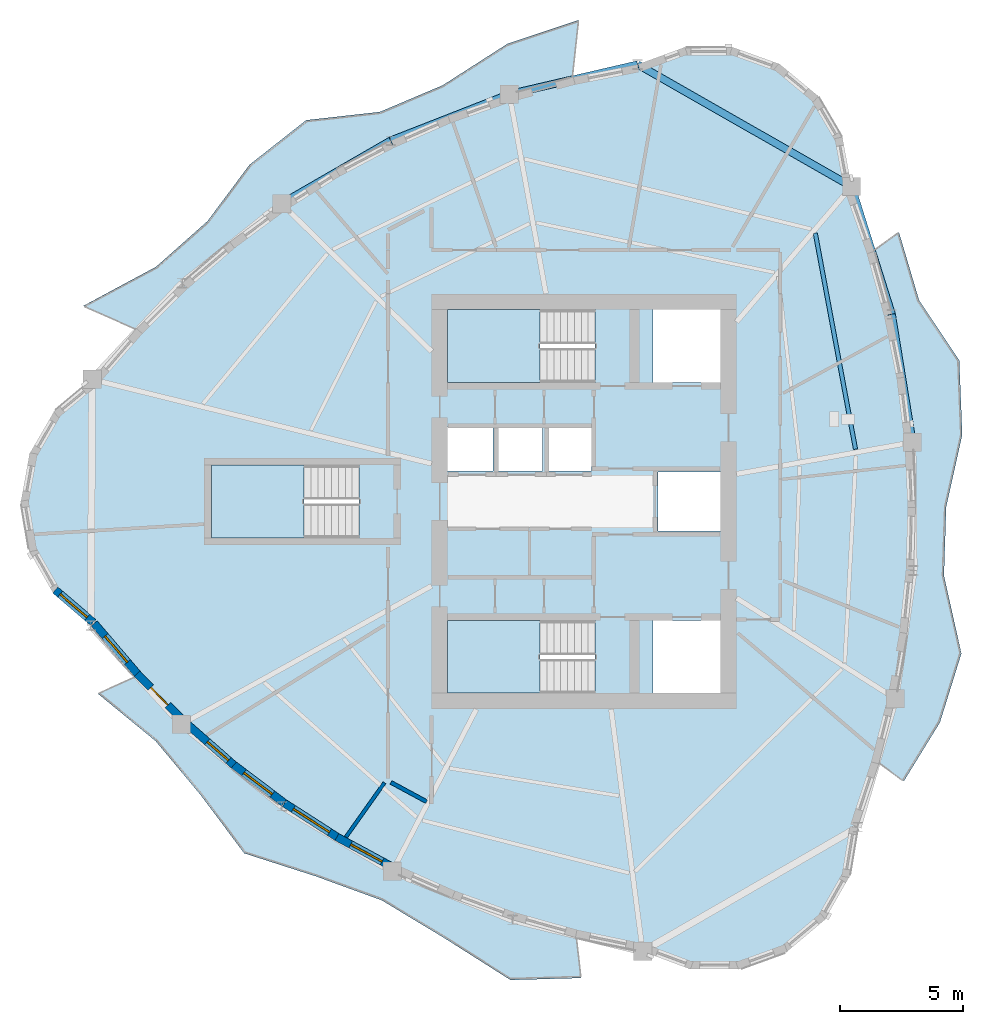
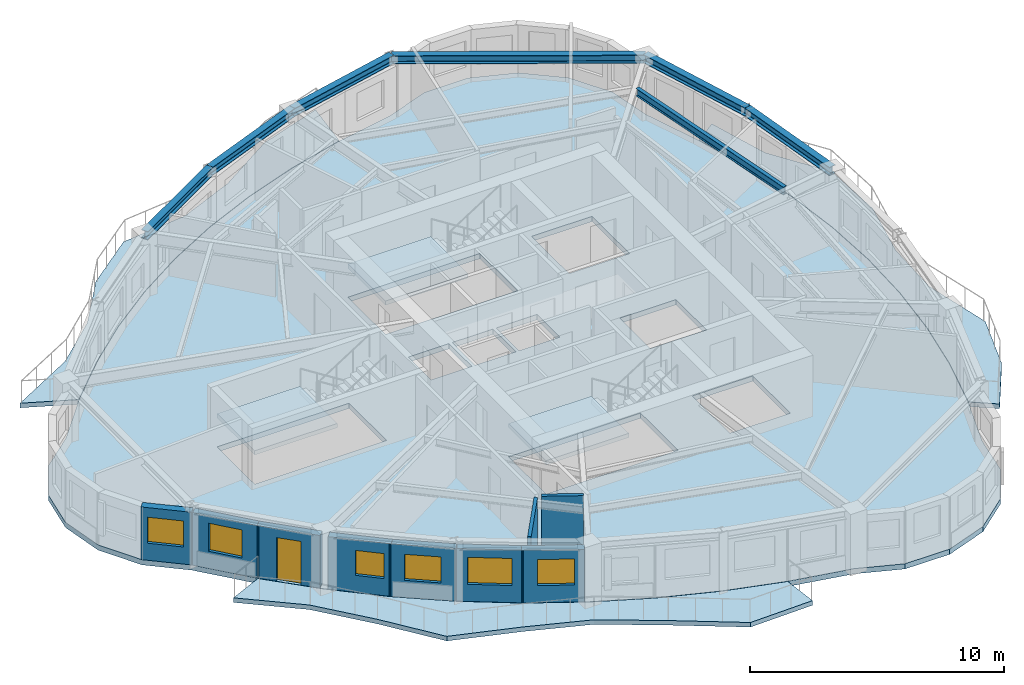
# One storey, part 2 of 12: 9 walls, 7 beams, 7 slabs, 6 windows, 1 door, 7 openings, 3 elements without a shape of their own.
"""IFC4 building model written with IfcOpenShell, lengths in metres."""

from ifc_helpers import new_model, si_unit, direction, frame, frame_2d, origin, origin_2d, place, context, subcontext, project, spatial, polyline, rectangle, i_section, outline, extrude, source, transform, mapped, material, layer, layer_set, material_profile, profile_set, type_object, element, fill, aggregate, save


model = new_model("IFC4")

# Units and contexts
model_context = context("Model", 3, precision=1e-05, world=origin(), true_north=direction((0.0, 1.0)))
body_context = subcontext(model_context, "Body", "Model", "MODEL_VIEW")
ifc_project = project(units=[si_unit("LENGTHUNIT", "METRE"), si_unit("AREAUNIT", "SQUARE_METRE"), si_unit("VOLUMEUNIT", "CUBIC_METRE"), si_unit("PLANEANGLEUNIT", "RADIAN"), si_unit("MASSUNIT", "GRAM", prefix="KILO")], contexts=[model_context])

# Site, building, storey
site_placement = place(None, origin())
site = spatial("IfcSite", under=ifc_project, at=site_placement, CompositionType="ELEMENT")
building_placement = place(site_placement, origin())
building = spatial("IfcBuilding", under=site, at=building_placement, Name="Qafzar Sky-Pleat Residences", CompositionType="ELEMENT")
storey_placement = place(building_placement, frame((0.0, 0.0, 184.199951171875)))
storey = spatial("IfcBuildingStorey", under=building, at=storey_placement, Name="L55", CompositionType="ELEMENT", Elevation=184.199951171875)

# Beams
ifc_material_1 = material(Name="Steel S355", Category="steel")
ifc_material_profile_1 = material_profile(ifc_material_1, i_section(OverallWidth=0.300048828125, OverallDepth=0.39990234375, WebThickness=0.013427734375, FlangeThickness=0.02392578125, FilletRadius=0.027099609375, at=origin_2d()), Name="HEB 400")
ifc_profile_set_1 = profile_set([ifc_material_profile_1], Name="Steel S355")
beam_type_1 = type_object("IfcBeamType", Name="BM-SPAN-HEB400", PredefinedType="SPANDREL", material=ifc_profile_set_1)
shared_shape_1 = source(origin(), body_context, "Body", "SweptSolid", [
    extrude(i_section(OverallWidth=0.300048828125, OverallDepth=0.39990234375, WebThickness=0.013427734375, FlangeThickness=0.02392578125, FilletRadius=0.027099609375, at=origin_2d()), origin(), (0.0, 0.0, 1.0), 10.017578125),
])
beam_1_placement = place(storey_placement, frame((41.22900390625, 38.8125, 2.748046875), z_axis=(-0.86844553877, 0.495784576394, 0.0), x_axis=(-0.495784576394, -0.86844553877, 0.0)))
element("IfcBeam", 1, at=beam_1_placement, inside=storey, type_object=beam_type_1, Name="L55 Perimeter Spandrel Beam 13", PredefinedType="SPANDREL", context=body_context, shape_type="MappedRepresentation", body=[
    mapped(shared_shape_1, transform((0.0, 0.0, 0.0), x_axis=(1.0, 0.0, 0.0), y_axis=(0.0, 1.0, 0.0), z_axis=(0.0, 0.0, 1.0), scale=1.0)),
])
shared_shape_2 = source(origin(), body_context, "Body", "SweptSolid", [
    extrude(i_section(OverallWidth=0.300048828125, OverallDepth=0.39990234375, WebThickness=0.013427734375, FlangeThickness=0.02392578125, FilletRadius=0.027099609375, at=origin_2d()), origin(), (0.0, 0.0, 1.0), 5.27294921875),
])
beam_2_placement = place(storey_placement, frame((43.70751953125, 28.410400390625, 2.748046875), z_axis=(-0.159877284529, 0.987136897239, 0.0), x_axis=(-0.987136897239, -0.159877284529, 0.0)))
element("IfcBeam", 2, at=beam_2_placement, inside=storey, type_object=beam_type_1, Name="L55 Perimeter Spandrel Beam 11", PredefinedType="SPANDREL", context=body_context, shape_type="MappedRepresentation", body=[
    mapped(shared_shape_2, transform((0.0, 0.0, 0.0), x_axis=(1.0, 0.0, 0.0), y_axis=(0.0, 1.0, 0.0), z_axis=(0.0, 0.0, 1.0), scale=1.0)),
])
shared_shape_3 = source(origin(), body_context, "Body", "SweptSolid", [
    extrude(i_section(OverallWidth=0.300048828125, OverallDepth=0.39990234375, WebThickness=0.013427734375, FlangeThickness=0.02392578125, FilletRadius=0.027099609375, at=origin_2d()), origin(), (0.0, 0.0, 1.0), 5.4482421875),
])
beam_3_placement = place(storey_placement, frame((42.864501953125, 33.615478515625, 2.748046875), z_axis=(-0.300185458928, 0.95388085747, 0.0), x_axis=(-0.95388085747, -0.300185458928, 0.0)))
element("IfcBeam", 3, at=beam_3_placement, inside=storey, type_object=beam_type_1, Name="L55 Perimeter Spandrel Beam 12", PredefinedType="SPANDREL", context=body_context, shape_type="MappedRepresentation", body=[
    mapped(shared_shape_3, transform((0.0, 0.0, 0.0), x_axis=(1.0, 0.0, 0.0), y_axis=(0.0, 1.0, 0.0), z_axis=(0.0, 0.0, 1.0), scale=1.0)),
])
shared_shape_4 = source(origin(), body_context, "Body", "SweptSolid", [
    extrude(i_section(OverallWidth=0.300048828125, OverallDepth=0.39990234375, WebThickness=0.013427734375, FlangeThickness=0.02392578125, FilletRadius=0.027099609375, at=origin_2d()), origin(), (0.0, 0.0, 1.0), 5.356201171875),
])
beam_4_placement = place(storey_placement, frame((32.529296875, 43.779052734375, 2.748046875), z_axis=(-0.974013405705, -0.226490365153, 0.0), x_axis=(0.226490365153, -0.974013405705, 0.0)))
element("IfcBeam", 4, at=beam_4_placement, inside=storey, type_object=beam_type_1, Name="L55 Perimeter Spandrel Beam 14", PredefinedType="SPANDREL", context=body_context, shape_type="MappedRepresentation", body=[
    mapped(shared_shape_4, transform((0.0, 0.0, 0.0), x_axis=(1.0, 0.0, 0.0), y_axis=(0.0, 1.0, 0.0), z_axis=(0.0, 0.0, 1.0), scale=1.0)),
])
shared_shape_5 = source(origin(), body_context, "Body", "SweptSolid", [
    extrude(i_section(OverallWidth=0.300048828125, OverallDepth=0.39990234375, WebThickness=0.013427734375, FlangeThickness=0.02392578125, FilletRadius=0.027099609375, at=origin_2d()), origin(), (0.0, 0.0, 1.0), 5.183837890625),
])
beam_5_placement = place(storey_placement, frame((27.312255859375, 42.56591796875, 2.748046875), z_axis=(-0.931323360566, -0.36419335258, 0.0), x_axis=(0.36419335258, -0.931323360566, 0.0)))
element("IfcBeam", 5, at=beam_5_placement, inside=storey, type_object=beam_type_1, Name="L55 Perimeter Spandrel Beam 15", PredefinedType="SPANDREL", context=body_context, shape_type="MappedRepresentation", body=[
    mapped(shared_shape_5, transform((0.0, 0.0, 0.0), x_axis=(1.0, 0.0, 0.0), y_axis=(0.0, 1.0, 0.0), z_axis=(0.0, 0.0, 1.0), scale=1.0)),
])
shared_shape_6 = source(origin(), body_context, "Body", "SweptSolid", [
    extrude(i_section(OverallWidth=0.300048828125, OverallDepth=0.39990234375, WebThickness=0.013427734375, FlangeThickness=0.02392578125, FilletRadius=0.027099609375, at=origin_2d()), origin(), (0.0, 0.0, 1.0), 5.124755859375),
])
beam_6_placement = place(storey_placement, frame((22.484375, 40.677978515625, 2.748046875), z_axis=(-0.866038823222, -0.499976756132, 0.0), x_axis=(0.499976756132, -0.866038823222, 0.0)))
element("IfcBeam", 6, at=beam_6_placement, inside=storey, type_object=beam_type_1, Name="L55 Perimeter Spandrel Beam 16", PredefinedType="SPANDREL", context=body_context, shape_type="MappedRepresentation", body=[
    mapped(shared_shape_6, transform((0.0, 0.0, 0.0), x_axis=(1.0, 0.0, 0.0), y_axis=(0.0, 1.0, 0.0), z_axis=(0.0, 0.0, 1.0), scale=1.0)),
])
ifc_material_profile_2 = material_profile(ifc_material_1, i_section(OverallWidth=0.169921875, OverallDepth=0.360107421875, WebThickness=0.008056640625, FlangeThickness=0.0126953125, FilletRadius=0.01806640625, at=origin_2d()), Name="IPE 360")
ifc_profile_set_2 = profile_set([ifc_material_profile_2], Name="Steel S355")
beam_type_2 = type_object("IfcBeamType", Name="BM-JST-IPE360", PredefinedType="JOIST", material=ifc_profile_set_2)
shared_shape_7 = source(origin(), body_context, "Body", "SweptSolid", [
    extrude(i_section(OverallWidth=0.169921875, OverallDepth=0.360107421875, WebThickness=0.008056640625, FlangeThickness=0.0126953125, FilletRadius=0.01806640625, at=origin_2d()), origin(), (0.0, 0.0, 1.0), 8.9375),
])
beam_7_placement = place(storey_placement, frame((41.392333984375, 28.1298828125, 2.76806640625), z_axis=(-0.183018436338, 0.983109481167, 0.0), x_axis=(-0.983109481167, -0.183018436338, 0.0)))
element("IfcBeam", 7, at=beam_7_placement, inside=storey, type_object=beam_type_2, Name="L55 Outer Secondary Floor Joist 6", PredefinedType="JOIST", context=body_context, shape_type="MappedRepresentation", body=[
    mapped(shared_shape_7, transform((0.0, 0.0, 0.0), x_axis=(1.0, 0.0, 0.0), y_axis=(0.0, 1.0, 0.0), z_axis=(0.0, 0.0, 1.0), scale=1.0)),
])

# Slabs
ifc_material_2 = material(Name="Concrete C40/50", Category="concrete")
ifc_layer_1 = layer(ifc_material_2, 0.219970703125)
ifc_layer_set_1 = layer_set([ifc_layer_1], Name="Concrete C40/50")
slab_type_1 = type_object("IfcSlabType", Name="SLAB-BAL-220", PredefinedType="USERDEFINED", material=ifc_layer_set_1)
slab_1_placement = place(storey_placement, frame((0.0, 0.0, -0.219970703125)))
element("IfcSlab", 8, at=slab_1_placement, inside=storey, type_object=slab_type_1, Name="L55 Pleated Stone Balcony 1", ObjectType="BALCONY", PredefinedType="USERDEFINED", context=body_context, shape_type="SweptSolid", body=[
    extrude(outline(polyline([(43.027099609375, 17.9716796875), (43.497802734375, 20.58447265625), (43.77001953125, 23.195556640625), (43.843994140625, 25.804931640625), (43.719482421875, 28.412109375), (43.396484375, 31.017578125), (42.875, 33.620849609375), (42.155517578125, 36.221923828125), (43.1591796875, 36.94677734375), (43.976806640625, 34.185302734375), (45.612548828125, 31.73974609375), (45.73388671875, 28.72119140625), (45.081787109375, 25.78955078125), (44.989013671875, 22.978759765625), (45.697998046875, 19.815673828125), (44.82470703125, 17.011474609375), (43.352783203125, 14.619873046875), (42.358154296875, 15.357177734375), (43.027099609375, 17.9716796875)])), origin(), (0.0, 0.0, 1.0), 0.219970703125),
])
slab_2_placement = place(storey_placement, frame((0.0, 0.0, -0.219970703125)))
element("IfcSlab", 9, at=slab_2_placement, inside=storey, type_object=slab_type_1, Name="L55 Pleated Stone Balcony 2", ObjectType="BALCONY", PredefinedType="USERDEFINED", context=body_context, shape_type="SweptSolid", body=[
    extrude(outline(polyline([(27.311767578125, 42.577880859375), (24.84716796875, 41.71826171875), (22.480224609375, 40.689208984375), (20.210693359375, 39.49169921875), (18.03857421875, 38.125), (15.964111328125, 36.58935546875), (13.9873046875, 34.885009765625), (12.108154296875, 33.011962890625), (9.9755859375, 33.952880859375), (12.941650390625, 35.548095703125), (15.03466796875, 37.4072265625), (16.744873046875, 39.69970703125), (19.045166015625, 41.510009765625), (22.044677734375, 41.84814453125), (24.603759765625, 42.931884765625), (27.227294921875, 44.614013671875), (30.124755859375, 45.586181640625), (29.873291015625, 43.268798828125), (27.311767578125, 42.577880859375)])), origin(), (0.0, 0.0, 1.0), 0.219970703125),
])
slab_3_placement = place(storey_placement, frame((0.0, 0.0, -0.219970703125)))
element("IfcSlab", 10, at=slab_3_placement, inside=storey, type_object=slab_type_1, Name="L55 Pleated Stone Balcony 3", ObjectType="BALCONY", PredefinedType="USERDEFINED", context=body_context, shape_type="SweptSolid", body=[
    extrude(outline(polyline([(13.962646484375, 16.92822265625), (15.95654296875, 15.175048828125), (18.05126953125, 13.5927734375), (20.2470703125, 12.18115234375), (22.543701171875, 10.940673828125), (24.941162109375, 9.870849609375), (27.439208984375, 8.971923828125), (30.037841796875, 8.243896484375), (30.224609375, 6.61669921875), (27.35888671875, 6.535400390625), (24.635986328125, 8.26171875), (22.121826171875, 9.776611328125), (19.445556640625, 10.752685546875), (16.526123046875, 11.690673828125), (14.73828125, 14.080078125), (12.9228515625, 16.256103515625), (10.5751953125, 18.181396484375), (12.06982421875, 18.851806640625), (13.962646484375, 16.92822265625)])), origin(), (0.0, 0.0, 1.0), 0.219970703125),
])
ifc_layer_2 = layer(ifc_material_2, 0.25)
ifc_layer_set_2 = layer_set([ifc_layer_2], Name="Concrete C40/50")
slab_type_2 = type_object("IfcSlabType", Name="SLAB-FLR-250", PredefinedType="FLOOR", material=ifc_layer_set_2)
slab_4_placement = place(storey_placement, frame((0.0, 0.0, -0.25)))
element("IfcSlab", 11, at=slab_4_placement, inside=storey, type_object=slab_type_2, Name="L55 Structural Floor Slab", PredefinedType="FLOOR", context=body_context, shape_type="SweptSolid", body=[
    extrude(outline(polyline([(10.338134765625, 30.967041015625), (8.801025390625, 29.679443359375), (7.79443359375, 27.9453125), (7.438232421875, 25.972412109375), (7.775146484375, 23.99560546875), (8.764892578125, 22.251953125), (10.289306640625, 20.94970703125), (12.080810546875, 18.856689453125), (13.97265625, 16.934814453125), (15.96533203125, 15.18310546875), (18.058837890625, 13.60205078125), (20.2529296875, 12.191650390625), (22.547607421875, 10.951904296875), (24.943359375, 9.8828125), (27.439453125, 8.98388671875), (30.03662109375, 8.255859375), (32.734130859375, 7.698486328125), (34.638671875, 6.98779296875), (36.67138671875, 6.977783203125), (38.582763671875, 7.669921875), (40.137939453125, 8.979248046875), (41.145751953125, 10.74462890625), (41.482666015625, 12.749267578125), (42.3486328125, 15.3642578125), (43.0166015625, 17.977294921875), (43.486328125, 20.58837890625), (43.75830078125, 23.19775390625), (43.831787109375, 25.804931640625), (43.70751953125, 28.410400390625), (43.385009765625, 31.013916015625), (42.864501953125, 33.615478515625), (42.145751953125, 36.21484375), (41.22900390625, 38.8125), (40.86328125, 40.783935546875), (39.84814453125, 42.51318359375), (38.304931640625, 43.793212890625), (36.41796875, 44.47119140625), (34.4130859375, 44.46630859375), (32.529296875, 43.779052734375), (29.8720703125, 43.2568359375), (27.312255859375, 42.56591796875), (24.849609375, 41.706298828125), (22.484375, 40.677978515625), (20.216552734375, 39.481201171875), (18.046142578125, 38.11572265625), (15.97314453125, 36.58154296875), (13.997314453125, 34.878662109375), (12.119140625, 33.007080078125), (10.338134765625, 30.967041015625)]), holes=[polyline([(30.797119140625, 21.14990234375), (24.800048828125, 21.14990234375), (24.800048828125, 18.199951171875), (30.797119140625, 18.199951171875), (30.797119140625, 21.14990234375)]), polyline([(30.797119140625, 33.800048828125), (24.800048828125, 33.800048828125), (24.800048828125, 30.85009765625), (30.797119140625, 30.85009765625), (30.797119140625, 33.800048828125)]), polyline([(21.197021484375, 27.47509765625), (15.199951171875, 27.47509765625), (15.199951171875, 24.52490234375), (21.197021484375, 24.52490234375), (21.197021484375, 27.47509765625)]), polyline([(24.800048828125, 27.25), (26.64990234375, 27.25), (26.64990234375, 29.050048828125), (24.800048828125, 29.050048828125), (24.800048828125, 27.25)]), polyline([(26.800048828125, 27.25), (28.64990234375, 27.25), (28.64990234375, 29.050048828125), (26.800048828125, 29.050048828125), (26.800048828125, 27.25)]), polyline([(28.800048828125, 27.25), (30.64990234375, 27.25), (30.64990234375, 29.050048828125), (28.800048828125, 29.050048828125), (28.800048828125, 27.25)]), polyline([(33.14990234375, 18.199951171875), (35.89990234375, 18.199951171875), (35.89990234375, 21.14990234375), (33.14990234375, 21.14990234375), (33.14990234375, 18.199951171875)]), polyline([(33.14990234375, 30.85009765625), (35.89990234375, 30.85009765625), (35.89990234375, 33.800048828125), (33.14990234375, 33.800048828125), (33.14990234375, 30.85009765625)]), polyline([(33.35009765625, 24.800048828125), (35.89990234375, 24.800048828125), (35.89990234375, 27.199951171875), (33.35009765625, 27.199951171875), (33.35009765625, 24.800048828125)])]), origin(), (0.0, 0.0, 1.0), 0.25),
])

# Stair, slab
stair_type = type_object("IfcStairType", Name="STAIR-H320", PredefinedType="HALF_TURN_STAIR", material=ifc_material_2)
stair_1_placement = place(storey_placement, origin())
stair_1 = element("IfcStair", 12, at=stair_1_placement, inside=storey, type_object=stair_type, Name="L55 Protected Exit Stair ST1", PredefinedType="HALF_TURN_STAIR")
ifc_layer_3 = layer(ifc_material_2, 0.199951171875)
ifc_layer_set_3 = layer_set([ifc_layer_3], Name="Concrete C40/50")
slab_type_3 = type_object("IfcSlabType", Name="SLAB-LANDING-200", PredefinedType="LANDING", material=ifc_layer_set_3)
slab_5_placement = place(storey_placement, frame((0.0, 0.0, 1.400146484375)))
slab_5 = element("IfcSlab", 13, at=slab_5_placement, type_object=slab_type_3, Name="ST1 landing 1", PredefinedType="LANDING", context=body_context, shape_type="SweptSolid", body=[
    extrude(outline(polyline([(28.56005859375, 21.14990234375), (24.800048828125, 21.14990234375), (24.800048828125, 18.199951171875), (28.56005859375, 18.199951171875), (28.56005859375, 21.14990234375)])), origin(), (0.0, 0.0, 1.0), 0.199951171875),
])
aggregate(stair_1, [slab_5])

stair_2_placement = place(storey_placement, origin())
stair_2 = element("IfcStair", 14, at=stair_2_placement, inside=storey, type_object=stair_type, Name="L55 Protected Exit Stair ST2", PredefinedType="HALF_TURN_STAIR")
slab_6_placement = place(storey_placement, frame((0.0, 0.0, 1.400146484375)))
slab_6 = element("IfcSlab", 15, at=slab_6_placement, type_object=slab_type_3, Name="ST2 landing 1", PredefinedType="LANDING", context=body_context, shape_type="SweptSolid", body=[
    extrude(outline(polyline([(28.56005859375, 33.800048828125), (24.800048828125, 33.800048828125), (24.800048828125, 30.85009765625), (28.56005859375, 30.85009765625), (28.56005859375, 33.800048828125)])), origin(), (0.0, 0.0, 1.0), 0.199951171875),
])
aggregate(stair_2, [slab_6])

stair_3_placement = place(storey_placement, origin())
stair_3 = element("IfcStair", 16, at=stair_3_placement, inside=storey, type_object=stair_type, Name="L55 Protected Exit Stair ST3", PredefinedType="HALF_TURN_STAIR")
slab_7_placement = place(storey_placement, frame((0.0, 0.0, 1.400146484375)))
slab_7 = element("IfcSlab", 17, at=slab_7_placement, type_object=slab_type_3, Name="ST3 landing 1", PredefinedType="LANDING", context=body_context, shape_type="SweptSolid", body=[
    extrude(outline(polyline([(18.9599609375, 27.47509765625), (15.199951171875, 27.47509765625), (15.199951171875, 24.52490234375), (18.9599609375, 24.52490234375), (18.9599609375, 27.47509765625)])), origin(), (0.0, 0.0, 1.0), 0.199951171875),
])
aggregate(stair_3, [slab_7])

# Walls
ifc_material_3 = material(Name="Acoustic gypsum plasterboard partition", Category="gypsum")
ifc_layer_4 = layer(ifc_material_3, 0.159912109375)
ifc_layer_set_4 = layer_set([ifc_layer_4], Name="Acoustic gypsum plasterboard partition")
wall_type_1 = type_object("IfcWallType", Name="PART-COR-160", PredefinedType="PARTITIONING", material=ifc_layer_set_4)
wall_1_placement = place(storey_placement, frame((22.4951171875, 14.572509765625, 0.0), z_axis=(0.0, 0.0, 1.0), x_axis=(0.879785217584, -0.475371403137, 0.0)))
element("IfcWall", 18, at=wall_1_placement, inside=storey, type_object=wall_type_1, Name="L55 Partition Wall PART-L55-PW-023", PredefinedType="PARTITIONING", context=body_context, shape_type="SweptSolid", body=[
    extrude(rectangle(XDim=1.648193359375, YDim=0.159912109375, at=frame_2d((0.82421875, 0.0))), origin(), (0.0, 0.0, 1.0), 2.949951171875),
])
ifc_layer_5 = layer(ifc_material_3, 0.14501953125)
ifc_layer_set_5 = layer_set([ifc_layer_5], Name="Acoustic gypsum plasterboard partition")
wall_type_2 = type_object("IfcWallType", Name="PART-UNIT-145", PredefinedType="PARTITIONING", material=ifc_layer_set_5)
wall_2_placement = place(storey_placement, frame((20.663818359375, 12.352294921875, 0.0), z_axis=(0.0, 0.0, 1.0), x_axis=(0.578847584957, 0.815435756752, 0.0)))
element("IfcWall", 19, at=wall_2_placement, inside=storey, type_object=wall_type_2, Name="L55 Partition Wall PART-L55-PW-022", PredefinedType="PARTITIONING", context=body_context, shape_type="SweptSolid", body=[
    extrude(rectangle(XDim=2.707763671875, YDim=0.14501953125, at=frame_2d((1.35400390625, 0.0))), origin(), (0.0, 0.0, 1.0), 2.949951171875),
])

# Wall, opening, window
ifc_material_4 = material(Name="Precast concrete C40/50 with honed Riyadh limestone", Category="concrete")
ifc_layer_6 = layer(ifc_material_4, 0.320068359375)
ifc_layer_set_6 = layer_set([ifc_layer_6], Name="Precast concrete C40/50 with honed Riyadh limestone")
wall_type_3 = type_object("IfcWallType", Name="WALL-EXT-320", PredefinedType="SOLIDWALL", material=ifc_layer_set_6)
wall_3_placement = place(storey_placement, frame((8.840087890625, 22.398193359375, 0.0), z_axis=(0.0, 0.0, 1.0), x_axis=(0.760328975209, -0.649538181678, 0.0)))
wall_3 = element("IfcWall", 20, at=wall_3_placement, inside=storey, type_object=wall_type_3, Name="L55 Limestone Facade Wall 6", PredefinedType="SOLIDWALL", context=body_context, shape_type="SweptSolid", body=[
    extrude(rectangle(XDim=2.02294921875, YDim=0.320068359375, at=frame_2d((1.011474609375, 0.0))), origin(), (0.0, 0.0, 1.0), 2.530029296875),
])
opening_1_placement = place(wall_3_placement, frame((0.256591796875, 0.0, 0.820068359375)))
opening_1 = element("IfcOpeningElement", 21, at=opening_1_placement, cuts=wall_3, Name="Opening WN-15", PredefinedType="OPENING", context=body_context, shape_type="SweptSolid", body=[
    extrude(rectangle(XDim=1.449951171875, YDim=1.25, at=frame_2d((0.72509765625, 0.625))), frame((0.0, 0.169921875, 0.0), z_axis=(0.0, -1.0, 0.0), x_axis=(1.0, 0.0, 0.0)), (0.0, 0.0, 1.0), 0.340087890625),
])
ifc_material_5 = material(Name="Solar-control low-E glass in bronze aluminium frame", Category="glass")
window_type_1 = type_object("IfcWindowType", Name="WIN-15", PartitioningType="SINGLE_PANEL", PredefinedType="WINDOW", material=ifc_material_5)
shared_shape_8 = source(origin(), body_context, "Body", "SweptSolid", [
    extrude(rectangle(XDim=1.449951171875, YDim=1.25, at=frame_2d((0.72509765625, 0.625))), frame((0.0, 0.030029296875, 0.0), z_axis=(0.0, -1.0, 0.0), x_axis=(1.0, 0.0, 0.0)), (0.0, 0.0, 1.0), 0.06005859375),
])
window_1_placement = place(opening_1_placement, origin())
window_1 = element("IfcWindow", 22, at=window_1_placement, inside=storey, type_object=window_type_1, Name="L55 Punched Facade Window 06", OverallHeight=1.25, OverallWidth=1.449951171875, PartitioningType="SINGLE_PANEL", PredefinedType="WINDOW", context=body_context, shape_type="MappedRepresentation", body=[
    mapped(shared_shape_8, transform((0.0, 0.0, 0.0), x_axis=(1.0, 0.0, 0.0), y_axis=(0.0, 1.0, 0.0), z_axis=(0.0, 0.0, 1.0), scale=1.0)),
])
fill(opening_1, window_1)

wall_4_placement = place(storey_placement, frame((10.424072265625, 21.038330078125, 0.0), z_axis=(0.0, 0.0, 1.0), x_axis=(0.650261869135, -0.759710143114, 0.0)))
wall_4 = element("IfcWall", 23, at=wall_4_placement, inside=storey, type_object=wall_type_3, Name="L55 Limestone Facade Wall 7", PredefinedType="SOLIDWALL", context=body_context, shape_type="SweptSolid", body=[
    extrude(rectangle(XDim=2.772705078125, YDim=0.320068359375, at=frame_2d((1.38623046875, 0.0))), origin(), (0.0, 0.0, 1.0), 2.530029296875),
])
opening_2_placement = place(wall_4_placement, frame((0.676513671875, 0.0, 0.820068359375)))
opening_2 = element("IfcOpeningElement", 24, at=opening_2_placement, cuts=wall_4, Name="Opening WN-10", PredefinedType="OPENING", context=body_context, shape_type="SweptSolid", body=[
    extrude(rectangle(XDim=1.39990234375, YDim=1.35009765625, at=frame_2d((0.699951171875, 0.675048828125))), frame((0.0, 0.169921875, 0.0), z_axis=(0.0, -1.0, 0.0), x_axis=(1.0, 0.0, 0.0)), (0.0, 0.0, 1.0), 0.340087890625),
])
window_type_2 = type_object("IfcWindowType", Name="WIN-10", PartitioningType="SINGLE_PANEL", PredefinedType="WINDOW", material=ifc_material_5)
shared_shape_9 = source(origin(), body_context, "Body", "SweptSolid", [
    extrude(rectangle(XDim=1.39990234375, YDim=1.35009765625, at=frame_2d((0.699951171875, 0.675048828125))), frame((0.0, 0.030029296875, 0.0), z_axis=(0.0, -1.0, 0.0), x_axis=(1.0, 0.0, 0.0)), (0.0, 0.0, 1.0), 0.06005859375),
])
window_2_placement = place(opening_2_placement, origin())
window_2 = element("IfcWindow", 25, at=window_2_placement, inside=storey, type_object=window_type_2, Name="L55 Punched Facade Window 07", OverallHeight=1.35009765625, OverallWidth=1.39990234375, PartitioningType="SINGLE_PANEL", PredefinedType="WINDOW", context=body_context, shape_type="MappedRepresentation", body=[
    mapped(shared_shape_9, transform((0.0, 0.0, 0.0), x_axis=(1.0, 0.0, 0.0), y_axis=(0.0, 1.0, 0.0), z_axis=(0.0, 0.0, 1.0), scale=1.0)),
])
fill(opening_2, window_2)

# Wall, opening, door
wall_5_placement = place(storey_placement, frame((12.168212890625, 18.99609375, 0.0), z_axis=(0.0, 0.0, 1.0), x_axis=(0.701479569818, -0.712689562943, 0.0)))
wall_5 = element("IfcWall", 26, at=wall_5_placement, inside=storey, type_object=wall_type_3, Name="L55 Limestone Facade Wall 8", PredefinedType="SOLIDWALL", context=body_context, shape_type="SweptSolid", body=[
    extrude(rectangle(XDim=2.56982421875, YDim=0.320068359375, at=frame_2d((1.284912109375, 0.0))), origin(), (0.0, 0.0, 1.0), 2.530029296875),
])
opening_3_placement = place(wall_5_placement, frame((0.7900390625, 0.0, 0.0)))
opening_3 = element("IfcOpeningElement", 27, at=opening_3_placement, cuts=wall_5, Name="Opening ED-05", PredefinedType="OPENING", context=body_context, shape_type="SweptSolid", body=[
    extrude(rectangle(XDim=1.0, YDim=2.10009765625, at=frame_2d((0.5, 1.050048828125))), frame((0.0, 0.169921875, 0.0), z_axis=(0.0, -1.0, 0.0), x_axis=(1.0, 0.0, 0.0)), (0.0, 0.0, 1.0), 0.340087890625),
])
ifc_material_6 = material(Name="Glazed bronze aluminium door", Category="aluminium")
door_type = type_object("IfcDoorType", Name="DR-BAL-1000", OperationType="NOTDEFINED", PredefinedType="DOOR", material=ifc_material_6)
shared_shape_10 = source(origin(), body_context, "Body", "SweptSolid", [
    extrude(rectangle(XDim=1.0, YDim=2.10009765625, at=frame_2d((0.5, 1.050048828125))), frame((0.0, 0.02490234375, 0.0), z_axis=(0.0, -1.0, 0.0), x_axis=(1.0, 0.0, 0.0)), (0.0, 0.0, 1.0), 0.050048828125),
])
door_placement = place(opening_3_placement, origin())
door = element("IfcDoor", 28, at=door_placement, inside=storey, type_object=door_type, Name="L55 Glazed Balcony Door 3", OperationType="SINGLE_SWING_RIGHT", OverallHeight=2.10009765625, OverallWidth=1.0, PredefinedType="DOOR", context=body_context, shape_type="MappedRepresentation", body=[
    mapped(shared_shape_10, transform((0.0, 0.0, 0.0), x_axis=(1.0, 0.0, 0.0), y_axis=(0.0, 1.0, 0.0), z_axis=(0.0, 0.0, 1.0), scale=1.0)),
])
fill(opening_3, door)

# Wall, opening, window
wall_6_placement = place(storey_placement, frame((14.202392578125, 16.94580078125, 0.0), z_axis=(0.0, 0.0, 1.0), x_axis=(0.751119873672, -0.660165839297, 0.0)))
wall_6 = element("IfcWall", 29, at=wall_6_placement, inside=storey, type_object=wall_type_3, Name="L55 Limestone Facade Wall 9", PredefinedType="SOLIDWALL", context=body_context, shape_type="SweptSolid", body=[
    extrude(rectangle(XDim=2.52587890625, YDim=0.320068359375, at=frame_2d((1.262939453125, 0.0))), origin(), (0.0, 0.0, 1.0), 2.530029296875),
])
opening_4_placement = place(wall_6_placement, frame((1.091796875, 0.0, 0.820068359375)))
opening_4 = element("IfcOpeningElement", 30, at=opening_4_placement, cuts=wall_6, Name="Opening WN-16", PredefinedType="OPENING", context=body_context, shape_type="SweptSolid", body=[
    extrude(rectangle(XDim=1.14990234375, YDim=1.199951171875, at=frame_2d((0.574951171875, 0.60009765625))), frame((0.0, 0.169921875, 0.0), z_axis=(0.0, -1.0, 0.0), x_axis=(1.0, 0.0, 0.0)), (0.0, 0.0, 1.0), 0.340087890625),
])
window_type_3 = type_object("IfcWindowType", Name="WIN-16", PartitioningType="SINGLE_PANEL", PredefinedType="WINDOW", material=ifc_material_5)
shared_shape_11 = source(origin(), body_context, "Body", "SweptSolid", [
    extrude(rectangle(XDim=1.14990234375, YDim=1.199951171875, at=frame_2d((0.574951171875, 0.60009765625))), frame((0.0, 0.030029296875, 0.0), z_axis=(0.0, -1.0, 0.0), x_axis=(1.0, 0.0, 0.0)), (0.0, 0.0, 1.0), 0.06005859375),
])
window_3_placement = place(opening_4_placement, origin())
window_3 = element("IfcWindow", 31, at=window_3_placement, inside=storey, type_object=window_type_3, Name="L55 Punched Facade Window 09-2", OverallHeight=1.199951171875, OverallWidth=1.14990234375, PartitioningType="SINGLE_PANEL", PredefinedType="WINDOW", context=body_context, shape_type="MappedRepresentation", body=[
    mapped(shared_shape_11, transform((0.0, 0.0, 0.0), x_axis=(1.0, 0.0, 0.0), y_axis=(0.0, 1.0, 0.0), z_axis=(0.0, 0.0, 1.0), scale=1.0)),
])
fill(opening_4, window_3)

wall_7_placement = place(storey_placement, frame((16.031494140625, 15.333740234375, 0.0), z_axis=(0.0, 0.0, 1.0), x_axis=(0.797976962718, -0.602687951573, 0.0)))
wall_7 = element("IfcWall", 32, at=wall_7_placement, inside=storey, type_object=wall_type_3, Name="L55 Limestone Facade Wall 10", PredefinedType="SOLIDWALL", context=body_context, shape_type="SweptSolid", body=[
    extrude(rectangle(XDim=2.6416015625, YDim=0.320068359375, at=frame_2d((1.32080078125, 0.0))), origin(), (0.0, 0.0, 1.0), 2.530029296875),
])
opening_5_placement = place(wall_7_placement, frame((0.605712890625, 0.0, 0.820068359375)))
opening_5 = element("IfcOpeningElement", 33, at=opening_5_placement, cuts=wall_7, Name="Opening WN-15", PredefinedType="OPENING", context=body_context, shape_type="SweptSolid", body=[
    extrude(rectangle(XDim=1.449951171875, YDim=1.25, at=frame_2d((0.72509765625, 0.625))), frame((0.0, 0.169921875, 0.0), z_axis=(0.0, -1.0, 0.0), x_axis=(1.0, 0.0, 0.0)), (0.0, 0.0, 1.0), 0.340087890625),
])
window_4_placement = place(opening_5_placement, origin())
window_4 = element("IfcWindow", 34, at=window_4_placement, inside=storey, type_object=window_type_1, Name="L55 Punched Facade Window 10", OverallHeight=1.25, OverallWidth=1.449951171875, PartitioningType="SINGLE_PANEL", PredefinedType="WINDOW", context=body_context, shape_type="MappedRepresentation", body=[
    mapped(shared_shape_8, transform((0.0, 0.0, 0.0), x_axis=(1.0, 0.0, 0.0), y_axis=(0.0, 1.0, 0.0), z_axis=(0.0, 0.0, 1.0), scale=1.0)),
])
fill(opening_5, window_4)

wall_8_placement = place(storey_placement, frame((18.162109375, 13.725830078125, 0.0), z_axis=(0.0, 0.0, 1.0), x_axis=(0.841187536261, -0.540743496345, 0.0)))
wall_8 = element("IfcWall", 35, at=wall_8_placement, inside=storey, type_object=wall_type_3, Name="L55 Limestone Facade Wall 11", PredefinedType="SOLIDWALL", context=body_context, shape_type="SweptSolid", body=[
    extrude(rectangle(XDim=2.626220703125, YDim=0.320068359375, at=frame_2d((1.31298828125, 0.0))), origin(), (0.0, 0.0, 1.0), 2.530029296875),
])
opening_6_placement = place(wall_8_placement, frame((0.42822265625, 0.0, 0.820068359375)))
opening_6 = element("IfcOpeningElement", 36, at=opening_6_placement, cuts=wall_8, Name="Opening WN-14", PredefinedType="OPENING", context=body_context, shape_type="SweptSolid", body=[
    extrude(rectangle(XDim=1.75, YDim=1.300048828125, at=frame_2d((0.875, 0.64990234375))), frame((0.0, 0.169921875, 0.0), z_axis=(0.0, -1.0, 0.0), x_axis=(1.0, 0.0, 0.0)), (0.0, 0.0, 1.0), 0.340087890625),
])
window_type_4 = type_object("IfcWindowType", Name="WIN-14", PartitioningType="DOUBLE_PANEL_VERTICAL", PredefinedType="WINDOW", material=ifc_material_5)
shared_shape_12 = source(origin(), body_context, "Body", "SweptSolid", [
    extrude(rectangle(XDim=1.75, YDim=1.300048828125, at=frame_2d((0.875, 0.64990234375))), frame((0.0, 0.030029296875, 0.0), z_axis=(0.0, -1.0, 0.0), x_axis=(1.0, 0.0, 0.0)), (0.0, 0.0, 1.0), 0.06005859375),
])
window_5_placement = place(opening_6_placement, origin())
window_5 = element("IfcWindow", 37, at=window_5_placement, inside=storey, type_object=window_type_4, Name="L55 Punched Facade Window 11", OverallHeight=1.300048828125, OverallWidth=1.75, PartitioningType="SINGLE_PANEL", PredefinedType="WINDOW", context=body_context, shape_type="MappedRepresentation", body=[
    mapped(shared_shape_12, transform((0.0, 0.0, 0.0), x_axis=(1.0, 0.0, 0.0), y_axis=(0.0, 1.0, 0.0), z_axis=(0.0, 0.0, 1.0), scale=1.0)),
])
fill(opening_6, window_5)

wall_9_placement = place(storey_placement, frame((20.29541015625, 12.3505859375, 0.0), z_axis=(0.0, 0.0, 1.0), x_axis=(0.879809944858, -0.475325636726, 0.0)))
wall_9 = element("IfcWall", 38, at=wall_9_placement, inside=storey, type_object=wall_type_3, Name="L55 Limestone Facade Wall 12", PredefinedType="SOLIDWALL", context=body_context, shape_type="SweptSolid", body=[
    extrude(rectangle(XDim=2.4814453125, YDim=0.320068359375, at=frame_2d((1.24072265625, 0.0))), origin(), (0.0, 0.0, 1.0), 2.530029296875),
])
opening_7_placement = place(wall_9_placement, frame((0.640625, 0.0, 0.820068359375)))
opening_7 = element("IfcOpeningElement", 39, at=opening_7_placement, cuts=wall_9, Name="Opening WN-15", PredefinedType="OPENING", context=body_context, shape_type="SweptSolid", body=[
    extrude(rectangle(XDim=1.449951171875, YDim=1.25, at=frame_2d((0.72509765625, 0.625))), frame((0.0, 0.169921875, 0.0), z_axis=(0.0, -1.0, 0.0), x_axis=(1.0, 0.0, 0.0)), (0.0, 0.0, 1.0), 0.340087890625),
])
window_6_placement = place(opening_7_placement, origin())
window_6 = element("IfcWindow", 40, at=window_6_placement, inside=storey, type_object=window_type_1, Name="L55 Punched Facade Window 12", OverallHeight=1.25, OverallWidth=1.449951171875, PartitioningType="SINGLE_PANEL", PredefinedType="WINDOW", context=body_context, shape_type="MappedRepresentation", body=[
    mapped(shared_shape_8, transform((0.0, 0.0, 0.0), x_axis=(1.0, 0.0, 0.0), y_axis=(0.0, 1.0, 0.0), z_axis=(0.0, 0.0, 1.0), scale=1.0)),
])
fill(opening_7, window_6)

save(model, "model.ifc")
